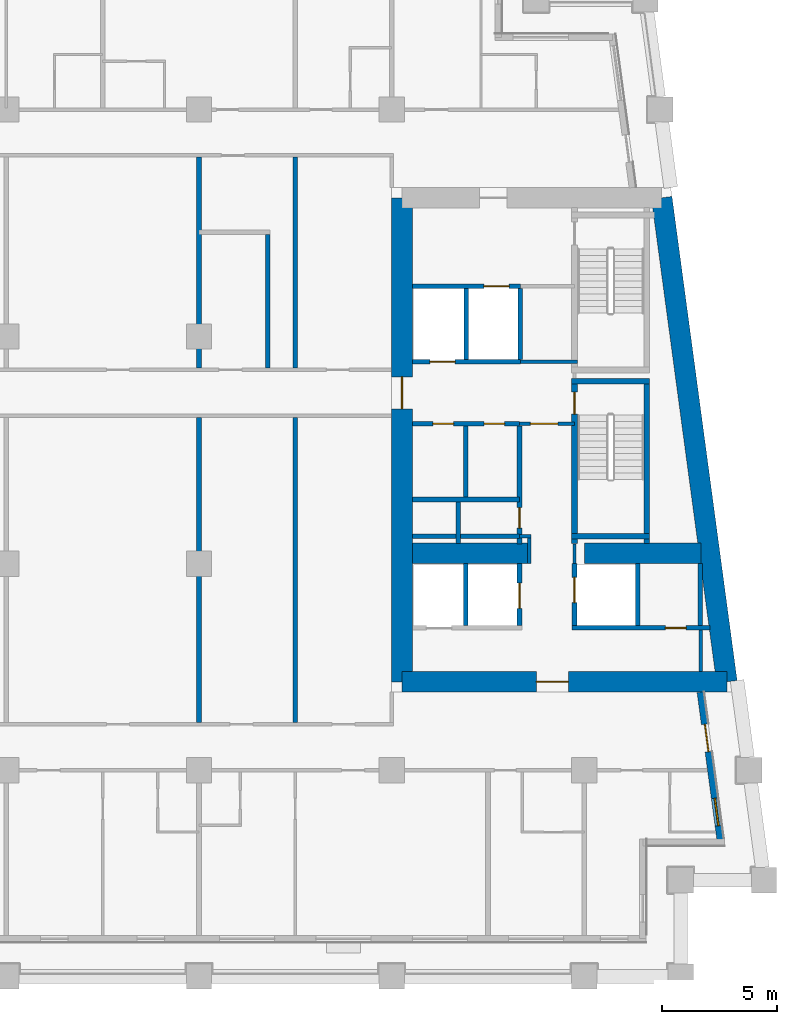
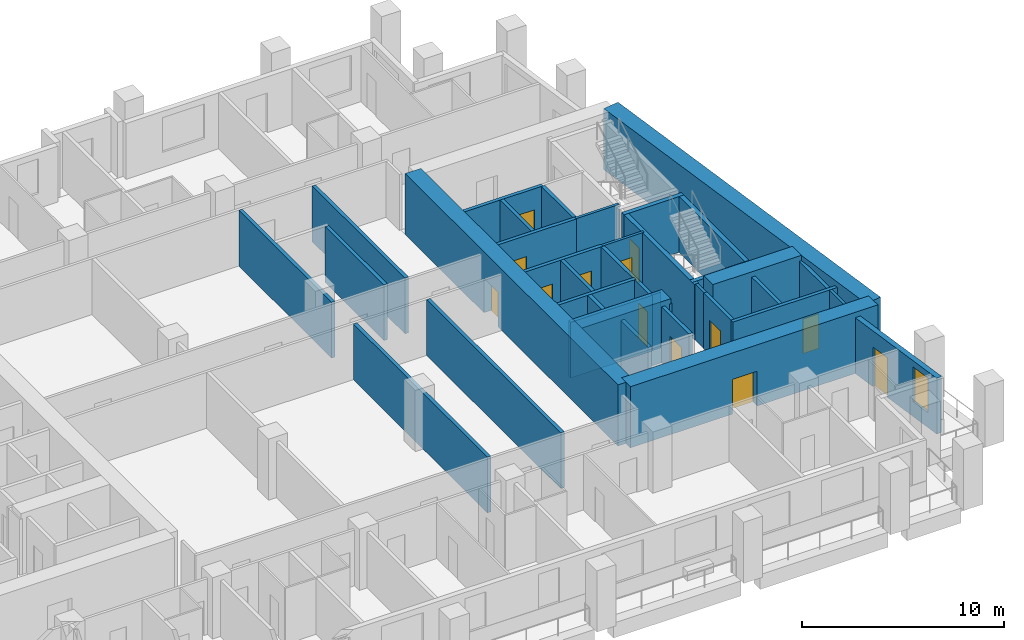
# One storey, part 5 of 13: 37 walls, 13 doors, 1 window, 14 openings.
"""IFC4 building model written with IfcOpenShell, lengths in metres."""

from ifc_helpers import new_model, si_unit, direction, frame, frame_2d, origin, place, context, subcontext, project, spatial, rectangle, extrude, material, layer, layer_set, type_object, element, fill, save


model = new_model("IFC4")

# Units and contexts
model_context = context("Model", 3, precision=1e-05, world=origin(), true_north=direction((0.0, 1.0)))
body_context = subcontext(model_context, "Body", "Model", "MODEL_VIEW")
ifc_project = project(units=[si_unit("LENGTHUNIT", "METRE"), si_unit("AREAUNIT", "SQUARE_METRE"), si_unit("VOLUMEUNIT", "CUBIC_METRE"), si_unit("PLANEANGLEUNIT", "RADIAN"), si_unit("MASSUNIT", "GRAM", prefix="KILO")], contexts=[model_context])

# Site, building, storey
site_placement = place(None, origin())
site = spatial("IfcSite", under=ifc_project, at=site_placement, CompositionType="ELEMENT")
building_placement = place(site_placement, origin())
building = spatial("IfcBuilding", under=site, at=building_placement, Name="Candeia Pilgrim Tower and Theatre", CompositionType="ELEMENT")
storey_placement = place(building_placement, frame((0.0, 0.0, 151.5)))
storey = spatial("IfcBuildingStorey", under=building, at=storey_placement, Name="L35", CompositionType="ELEMENT", Elevation=151.5)

# Wall
ifc_material_1 = material(Name="Concrete C60/75", Category="concrete")
ifc_layer_1 = layer(ifc_material_1, 0.89990234375)
ifc_layer_set_1 = layer_set([ifc_layer_1], Name="Core wall 900 C60/75")
wall_type_1 = type_object("IfcWallType", Name="Core wall 900 C60/75", PredefinedType="SHEAR", material=ifc_layer_set_1)
wall_1_placement = place(storey_placement, frame((137.775634765625, 131.949951171875, 0.0), z_axis=(0.0, 0.0, 1.0), x_axis=(0.133421759112, -0.991059349482, 0.0)))
element("IfcWall", 1, at=wall_1_placement, inside=storey, type_object=wall_type_1, Name="Core wall E2", PredefinedType="SHEAR", context=body_context, shape_type="SweptSolid", body=[
    extrude(rectangle(XDim=21.290283203125, YDim=0.89990234375, at=frame_2d((10.64501953125, 0.0))), origin(), (0.0, 0.0, 1.0), 3.699951171875),
])

# Wall, opening, door
wall_2_placement = place(storey_placement, frame((140.6162109375, 110.85009765625, 0.0), z_axis=(0.0, 0.0, 1.0), x_axis=(-1.0, 0.0, 0.0)))
wall_2 = element("IfcWall", 2, at=wall_2_placement, inside=storey, type_object=wall_type_1, Name="Core wall E3", PredefinedType="SHEAR", context=body_context, shape_type="SweptSolid", body=[
    extrude(rectangle(XDim=14.166259765625, YDim=0.89990234375, at=frame_2d((7.0830078125, 0.0))), origin(), (0.0, 0.0, 1.0), 3.699951171875),
])
opening_1_placement = place(wall_2_placement, frame((6.911376953125, 0.0, 0.0)))
opening_1 = element("IfcOpeningElement", 3, at=opening_1_placement, cuts=wall_2, Name="Opening L35-D060", PredefinedType="OPENING", context=body_context, shape_type="SweptSolid", body=[
    extrude(rectangle(XDim=1.39990234375, YDim=2.10009765625, at=frame_2d((0.699951171875, 1.050048828125))), frame((0.0, 0.4599609375, 0.0), z_axis=(0.0, -1.0, 0.0), x_axis=(1.0, 0.0, 0.0)), (0.0, 0.0, 1.0), 0.919921875),
])
ifc_material_2 = material(Name="Steel fire door set", Category="steel")
door_type_1 = type_object("IfcDoorType", Name="D-1400-FD60", OperationType="NOTDEFINED", PredefinedType="DOOR", material=ifc_material_2)
door_1_placement = place(opening_1_placement, origin())
door_1 = element("IfcDoor", 4, at=door_1_placement, inside=storey, type_object=door_type_1, Name="Door L35-D060", OperationType="SINGLE_SWING_LEFT", OverallHeight=2.10009765625, OverallWidth=1.39990234375, PredefinedType="DOOR", context=body_context, shape_type="SweptSolid", body=[
    extrude(rectangle(XDim=1.39990234375, YDim=2.10009765625, at=frame_2d((0.699951171875, 1.050048828125))), frame((0.0, 0.02490234375, 0.0), z_axis=(0.0, -1.0, 0.0), x_axis=(1.0, 0.0, 0.0)), (0.0, 0.0, 1.0), 0.050048828125),
])
fill(opening_1, door_1)

wall_3_placement = place(storey_placement, frame((126.449951171875, 110.85009765625, 0.0), z_axis=(0.0, 0.0, 1.0), x_axis=(0.0, 1.0, 0.0)))
wall_3 = element("IfcWall", 5, at=wall_3_placement, inside=storey, type_object=wall_type_1, Name="Core wall E4", PredefinedType="SHEAR", context=body_context, shape_type="SweptSolid", body=[
    extrude(rectangle(XDim=21.099853515625, YDim=0.89990234375, at=frame_2d((10.5498046875, 0.0))), origin(), (0.0, 0.0, 1.0), 3.699951171875),
])
opening_2_placement = place(wall_3_placement, frame((11.89990234375, 0.0, 0.0)))
opening_2 = element("IfcOpeningElement", 6, at=opening_2_placement, cuts=wall_3, Name="Opening L35-D062", PredefinedType="OPENING", context=body_context, shape_type="SweptSolid", body=[
    extrude(rectangle(XDim=1.39990234375, YDim=2.10009765625, at=frame_2d((0.699951171875, 1.050048828125))), frame((0.0, 0.4599609375, 0.0), z_axis=(0.0, -1.0, 0.0), x_axis=(1.0, 0.0, 0.0)), (0.0, 0.0, 1.0), 0.919921875),
])
door_2_placement = place(opening_2_placement, origin())
door_2 = element("IfcDoor", 7, at=door_2_placement, inside=storey, type_object=door_type_1, Name="Door L35-D062", OperationType="SINGLE_SWING_LEFT", OverallHeight=2.10009765625, OverallWidth=1.39990234375, PredefinedType="DOOR", context=body_context, shape_type="SweptSolid", body=[
    extrude(rectangle(XDim=1.39990234375, YDim=2.10009765625, at=frame_2d((0.699951171875, 1.050048828125))), frame((0.0, 0.02490234375, 0.0), z_axis=(0.0, -1.0, 0.0), x_axis=(1.0, 0.0, 0.0)), (0.0, 0.0, 1.0), 0.050048828125),
])
fill(opening_2, door_2)

# Walls
wall_4_placement = place(storey_placement, frame((126.89990234375, 116.449951171875, 0.0), z_axis=(0.0, 0.0, 1.0), x_axis=(1.0, 0.0, 0.0)))
element("IfcWall", 8, at=wall_4_placement, inside=storey, type_object=wall_type_1, Name="Core wall E5", PredefinedType="SHEAR", context=body_context, shape_type="SweptSolid", body=[
    extrude(rectangle(XDim=5.10009765625, YDim=0.89990234375, at=frame_2d((2.550048828125, 0.0))), origin(), (0.0, 0.0, 1.0), 3.699951171875),
])
wall_5_placement = place(storey_placement, frame((134.39990234375, 116.449951171875, 0.0), z_axis=(0.0, 0.0, 1.0), x_axis=(1.0, 0.0, 0.0)))
element("IfcWall", 9, at=wall_5_placement, inside=storey, type_object=wall_type_1, Name="Core wall E6", PredefinedType="SHEAR", context=body_context, shape_type="SweptSolid", body=[
    extrude(rectangle(XDim=5.076904296875, YDim=0.89990234375, at=frame_2d((2.53857421875, 0.0))), origin(), (0.0, 0.0, 1.0), 3.699951171875),
])

# Wall, openings, door, window
ifc_material_3 = material(Name="Ceramic block masonry", Category="masonry")
ifc_layer_2 = layer(ifc_material_3, 0.300048828125)
ifc_layer_set_2 = layer_set([ifc_layer_2], Name="EW1 glazing-line wall 300")
wall_type_2 = type_object("IfcWallType", Name="EW1 glazing-line wall 300", PredefinedType="SOLIDWALL", material=ifc_layer_set_2)
wall_6_placement = place(storey_placement, frame((140.34765625, 103.85009765625, 0.0), z_axis=(0.0, 0.0, 1.0), x_axis=(-0.133431549479, 0.991058031401, 0.0)))
wall_6 = element("IfcWall", 10, at=wall_6_placement, inside=storey, type_object=wall_type_2, Name="External wall L35-3.0", PredefinedType="SOLIDWALL", context=body_context, shape_type="SweptSolid", body=[
    extrude(rectangle(XDim=6.60888671875, YDim=0.300048828125, at=frame_2d((3.304443359375, 0.0))), origin(), (0.0, 0.0, 1.0), 3.3798828125),
])
opening_3_placement = place(wall_6_placement, frame((0.736572265625, 0.0, 0.89990234375)))
opening_3 = element("IfcOpeningElement", 11, at=opening_3_placement, cuts=wall_6, Name="Opening W-B", PredefinedType="OPENING", context=body_context, shape_type="SweptSolid", body=[
    extrude(rectangle(XDim=1.199951171875, YDim=2.10009765625, at=frame_2d((0.60009765625, 1.050048828125))), frame((0.0, 0.16015625, 0.0), z_axis=(0.0, -1.0, 0.0), x_axis=(1.0, 0.0, 0.0)), (0.0, 0.0, 1.0), 0.320068359375),
])
opening_4_placement = place(wall_6_placement, frame((3.990966796875, 0.0, 0.0)))
opening_4 = element("IfcOpeningElement", 12, at=opening_4_placement, cuts=wall_6, Name="Opening L35-ED336", PredefinedType="OPENING", context=body_context, shape_type="SweptSolid", body=[
    extrude(rectangle(XDim=1.199951171875, YDim=2.39990234375, at=frame_2d((0.60009765625, 1.199951171875))), frame((0.0, 0.16015625, 0.0), z_axis=(0.0, -1.0, 0.0), x_axis=(1.0, 0.0, 0.0)), (0.0, 0.0, 1.0), 0.320068359375),
])
ifc_material_4 = material(Name="Aluminium framed glazed door", Category="aluminium")
door_type_2 = type_object("IfcDoorType", Name="Loggia door 1200x2400", OperationType="DOUBLE_DOOR_SINGLE_SWING", PredefinedType="DOOR", material=ifc_material_4)
door_3_placement = place(opening_4_placement, origin())
door_3 = element("IfcDoor", 13, at=door_3_placement, inside=storey, type_object=door_type_2, Name="Loggia door L35-ED336", OperationType="DOUBLE_DOOR_SINGLE_SWING", OverallHeight=2.39990234375, OverallWidth=1.199951171875, PredefinedType="DOOR", context=body_context, shape_type="SweptSolid", body=[
    extrude(rectangle(XDim=1.199951171875, YDim=2.39990234375, at=frame_2d((0.60009765625, 1.199951171875))), frame((0.0, 0.02490234375, 0.0), z_axis=(0.0, -1.0, 0.0), x_axis=(1.0, 0.0, 0.0)), (0.0, 0.0, 1.0), 0.050048828125),
])
fill(opening_4, door_3)
ifc_material_5 = material(Name="Aluminium framed double glazing", Category="aluminium")
window_type = type_object("IfcWindowType", Name="W-B window 1200x2100", PartitioningType="SINGLE_PANEL", PredefinedType="WINDOW", material=ifc_material_5)
window_placement = place(opening_3_placement, origin())
window = element("IfcWindow", 14, at=window_placement, inside=storey, type_object=window_type, Name="Window W-B L35", OverallHeight=2.10009765625, OverallWidth=1.199951171875, PartitioningType="SINGLE_PANEL", PredefinedType="WINDOW", context=body_context, shape_type="SweptSolid", body=[
    extrude(rectangle(XDim=1.199951171875, YDim=2.10009765625, at=frame_2d((0.60009765625, 1.050048828125))), frame((0.0, 0.030029296875, 0.0), z_axis=(0.0, -1.0, 0.0), x_axis=(1.0, 0.0, 0.0)), (0.0, 0.0, 1.0), 0.06005859375),
])
fill(opening_3, window)

# Wall
ifc_material_6 = material(Name="Gypsum board partition on steel studs", Category="steel")
ifc_layer_3 = layer(ifc_material_6, 0.14990234375)
ifc_layer_set_3 = layer_set([ifc_layer_3], Name="PW-150 lobby wall")
wall_type_3 = type_object("IfcWallType", Name="PW-150 lobby wall", PredefinedType="PARTITIONING", material=ifc_layer_set_3)
wall_7_placement = place(storey_placement, frame((131.572998046875, 117.199951171875, 0.0), z_axis=(0.0, 0.0, 1.0), x_axis=(1.0, 0.0, 0.0)))
element("IfcWall", 15, at=wall_7_placement, inside=storey, type_object=wall_type_3, Name="Lobby wall L35-017", PredefinedType="PARTITIONING", context=body_context, shape_type="SweptSolid", body=[
    extrude(rectangle(XDim=0.501953125, YDim=0.14990234375, at=frame_2d((0.2509765625, 0.0))), origin(), (0.0, 0.0, 1.0), 3.3798828125),
])

# Wall, opening, door
wall_8_placement = place(storey_placement, frame((131.572998046875, 122.10009765625, 0.0), z_axis=(0.0, 0.0, 1.0), x_axis=(1.0, 0.0, 0.0)))
wall_8 = element("IfcWall", 16, at=wall_8_placement, inside=storey, type_object=wall_type_3, Name="Lobby wall L35-025", PredefinedType="PARTITIONING", context=body_context, shape_type="SweptSolid", body=[
    extrude(rectangle(XDim=2.39990234375, YDim=0.14990234375, at=frame_2d((1.199951171875, 0.0))), origin(), (0.0, 0.0, 1.0), 3.3798828125),
])
opening_5_placement = place(wall_8_placement, frame((0.47509765625, 0.0, 0.0)))
opening_5 = element("IfcOpeningElement", 17, at=opening_5_placement, cuts=wall_8, Name="Opening L35-D009", PredefinedType="OPENING", context=body_context, shape_type="SweptSolid", body=[
    extrude(rectangle(XDim=1.199951171875, YDim=2.10009765625, at=frame_2d((0.60009765625, 1.050048828125))), frame((0.0, 0.0849609375, 0.0), z_axis=(0.0, -1.0, 0.0), x_axis=(1.0, 0.0, 0.0)), (0.0, 0.0, 1.0), 0.169921875),
])
door_type_3 = type_object("IfcDoorType", Name="D-1200-FD60", OperationType="NOTDEFINED", PredefinedType="DOOR", material=ifc_material_2)
door_4_placement = place(opening_5_placement, origin())
door_4 = element("IfcDoor", 18, at=door_4_placement, inside=storey, type_object=door_type_3, Name="Door L35-D009", OperationType="SINGLE_SWING_LEFT", OverallHeight=2.10009765625, OverallWidth=1.199951171875, PredefinedType="DOOR", context=body_context, shape_type="SweptSolid", body=[
    extrude(rectangle(XDim=1.199951171875, YDim=2.10009765625, at=frame_2d((0.60009765625, 1.050048828125))), frame((0.0, 0.02490234375, 0.0), z_axis=(0.0, -1.0, 0.0), x_axis=(1.0, 0.0, 0.0)), (0.0, 0.0, 1.0), 0.050048828125),
])
fill(opening_5, door_4)

# Walls
wall_9_placement = place(storey_placement, frame((131.615234375, 124.800048828125, 0.0), z_axis=(0.0, 0.0, 1.0), x_axis=(1.0, 0.0, 0.0)))
element("IfcWall", 19, at=wall_9_placement, inside=storey, type_object=wall_type_3, Name="Lobby wall L35-034", PredefinedType="PARTITIONING", context=body_context, shape_type="SweptSolid", body=[
    extrude(rectangle(XDim=2.482666015625, YDim=0.14990234375, at=frame_2d((1.2412109375, 0.0))), origin(), (0.0, 0.0, 1.0), 3.3798828125),
])
wall_10_placement = place(storey_placement, frame((132.0, 116.0, 0.0), z_axis=(0.0, 0.0, 1.0), x_axis=(0.0, 1.0, 0.0)))
element("IfcWall", 20, at=wall_10_placement, inside=storey, type_object=wall_type_3, Name="Lobby wall L35-110", PredefinedType="PARTITIONING", context=body_context, shape_type="SweptSolid", body=[
    extrude(rectangle(XDim=1.125, YDim=0.14990234375, at=frame_2d((0.5625, 0.0))), origin(), (0.0, 0.0, 1.0), 3.3798828125),
])
wall_11_placement = place(storey_placement, frame((133.972900390625, 116.0, 0.0), z_axis=(0.0, 0.0, 1.0), x_axis=(0.0, 1.0, 0.0)))
element("IfcWall", 21, at=wall_11_placement, inside=storey, type_object=wall_type_3, Name="Lobby wall L35-113", PredefinedType="PARTITIONING", context=body_context, shape_type="SweptSolid", body=[
    extrude(rectangle(XDim=0.8701171875, YDim=0.14990234375, at=frame_2d((0.43505859375, 0.0))), origin(), (0.0, 0.0, 1.0), 3.3798828125),
])
wall_12_placement = place(storey_placement, frame((139.471923828125, 111.300048828125, 0.0), z_axis=(0.0, 0.0, 1.0), x_axis=(0.0, 1.0, 0.0)))
element("IfcWall", 22, at=wall_12_placement, inside=storey, type_object=wall_type_3, Name="Lobby wall L35-123", PredefinedType="PARTITIONING", context=body_context, shape_type="SweptSolid", body=[
    extrude(rectangle(XDim=1.800048828125, YDim=0.14990234375, at=frame_2d((0.89990234375, 0.0))), origin(), (0.0, 0.0, 1.0), 3.3798828125),
])
ifc_layer_4 = layer(ifc_material_6, 0.199951171875)
ifc_layer_set_4 = layer_set([ifc_layer_4], Name="PW-200 party wall")
wall_type_4 = type_object("IfcWallType", Name="PW-200 party wall", PredefinedType="PARTITIONING", material=ifc_layer_set_4)
wall_13_placement = place(storey_placement, frame((117.60009765625, 109.074951171875, 0.0), z_axis=(0.0, 0.0, 1.0), x_axis=(0.0, 1.0, 0.0)))
element("IfcWall", 23, at=wall_13_placement, inside=storey, type_object=wall_type_4, Name="Party wall L35-088", PredefinedType="PARTITIONING", context=body_context, shape_type="SweptSolid", body=[
    extrude(rectangle(XDim=13.300048828125, YDim=0.199951171875, at=frame_2d((6.64990234375, 0.0))), origin(), (0.0, 0.0, 1.0), 3.3798828125),
])
wall_14_placement = place(storey_placement, frame((117.60009765625, 124.52490234375, 0.0), z_axis=(0.0, 0.0, 1.0), x_axis=(0.0, 1.0, 0.0)))
element("IfcWall", 24, at=wall_14_placement, inside=storey, type_object=wall_type_4, Name="Party wall L35-089", PredefinedType="PARTITIONING", context=body_context, shape_type="SweptSolid", body=[
    extrude(rectangle(XDim=9.2001953125, YDim=0.199951171875, at=frame_2d((4.60009765625, 0.0))), origin(), (0.0, 0.0, 1.0), 3.3798828125),
])
wall_15_placement = place(storey_placement, frame((120.60009765625, 124.52490234375, 0.0), z_axis=(0.0, 0.0, 1.0), x_axis=(0.0, 1.0, 0.0)))
element("IfcWall", 25, at=wall_15_placement, inside=storey, type_object=wall_type_4, Name="Party wall L35-091", PredefinedType="PARTITIONING", context=body_context, shape_type="SweptSolid", body=[
    extrude(rectangle(XDim=5.8251953125, YDim=0.199951171875, at=frame_2d((2.91259765625, 0.0))), origin(), (0.0, 0.0, 1.0), 3.3798828125),
])
wall_16_placement = place(storey_placement, frame((121.800048828125, 109.074951171875, 0.0), z_axis=(0.0, 0.0, 1.0), x_axis=(0.0, 1.0, 0.0)))
element("IfcWall", 26, at=wall_16_placement, inside=storey, type_object=wall_type_4, Name="Party wall L35-093", PredefinedType="PARTITIONING", context=body_context, shape_type="SweptSolid", body=[
    extrude(rectangle(XDim=13.300048828125, YDim=0.199951171875, at=frame_2d((6.64990234375, 0.0))), origin(), (0.0, 0.0, 1.0), 3.3798828125),
])
wall_17_placement = place(storey_placement, frame((121.800048828125, 124.52490234375, 0.0), z_axis=(0.0, 0.0, 1.0), x_axis=(0.0, 1.0, 0.0)))
element("IfcWall", 27, at=wall_17_placement, inside=storey, type_object=wall_type_4, Name="Party wall L35-094", PredefinedType="PARTITIONING", context=body_context, shape_type="SweptSolid", body=[
    extrude(rectangle(XDim=9.2001953125, YDim=0.199951171875, at=frame_2d((4.60009765625, 0.0))), origin(), (0.0, 0.0, 1.0), 3.3798828125),
])

# Wall, opening, door
ifc_material_7 = material(Name="Concrete C40/50", Category="concrete")
ifc_layer_5 = layer(ifc_material_7, 0.199951171875)
ifc_layer_set_5 = layer_set([ifc_layer_5], Name="SW-200 shaft wall")
wall_type_5 = type_object("IfcWallType", Name="SW-200 shaft wall", PredefinedType="PARTITIONING", material=ifc_layer_set_5)
wall_18_placement = place(storey_placement, frame((133.873046875, 113.199951171875, 0.0), z_axis=(0.0, 0.0, 1.0), x_axis=(1.0, 0.0, 0.0)))
wall_18 = element("IfcWall", 28, at=wall_18_placement, inside=storey, type_object=wall_type_5, Name="Shaft wall L35-013", PredefinedType="PARTITIONING", context=body_context, shape_type="SweptSolid", body=[
    extrude(rectangle(XDim=6.002685546875, YDim=0.199951171875, at=frame_2d((3.00146484375, 0.0))), origin(), (0.0, 0.0, 1.0), 3.3798828125),
])
opening_6_placement = place(wall_18_placement, frame((4.06201171875, 0.0, 0.0)))
opening_6 = element("IfcOpeningElement", 29, at=opening_6_placement, cuts=wall_18, Name="Opening L35-D015", PredefinedType="OPENING", context=body_context, shape_type="SweptSolid", body=[
    extrude(rectangle(XDim=0.89990234375, YDim=2.10009765625, at=frame_2d((0.449951171875, 1.050048828125))), frame((0.0, 0.10986328125, 0.0), z_axis=(0.0, -1.0, 0.0), x_axis=(1.0, 0.0, 0.0)), (0.0, 0.0, 1.0), 0.219970703125),
])
door_type_4 = type_object("IfcDoorType", Name="D-900-FD60", OperationType="NOTDEFINED", PredefinedType="DOOR", material=ifc_material_2)
door_5_placement = place(opening_6_placement, origin())
door_5 = element("IfcDoor", 30, at=door_5_placement, inside=storey, type_object=door_type_4, Name="Door L35-D015", OperationType="SINGLE_SWING_RIGHT", OverallHeight=2.10009765625, OverallWidth=0.89990234375, PredefinedType="DOOR", context=body_context, shape_type="SweptSolid", body=[
    extrude(rectangle(XDim=0.89990234375, YDim=2.10009765625, at=frame_2d((0.449951171875, 1.050048828125))), frame((0.0, 0.02490234375, 0.0), z_axis=(0.0, -1.0, 0.0), x_axis=(1.0, 0.0, 0.0)), (0.0, 0.0, 1.0), 0.050048828125),
])
fill(opening_6, door_5)

# Walls
for number, where, z_axis, x_axis, name in (
    (31, (126.89990234375, 117.199951171875, 0.0), (0.0, 0.0, 1.0), (1.0, 0.0, 0.0), "Shaft wall L35-015"),
    (32, (126.89990234375, 118.800048828125, 0.0), (0.0, 0.0, 1.0), (1.0, 0.0, 0.0), "Shaft wall L35-021"),
):
    element("IfcWall", number, at=place(storey_placement, frame(where, z_axis=z_axis, x_axis=x_axis)), inside=storey, type_object=wall_type_5, Name=name, PredefinedType="PARTITIONING", context=body_context, shape_type="SweptSolid", body=[
        extrude(rectangle(XDim=4.673095703125, YDim=0.199951171875, at=frame_2d((2.33642578125, 0.0))), origin(), (0.0, 0.0, 1.0), 3.3798828125),
    ])

# Wall, openings, doors
wall_19_placement = place(storey_placement, frame((126.89990234375, 122.10009765625, 0.0), z_axis=(0.0, 0.0, 1.0), x_axis=(1.0, 0.0, 0.0)))
wall_19 = element("IfcWall", 33, at=wall_19_placement, inside=storey, type_object=wall_type_5, Name="Shaft wall L35-023", PredefinedType="PARTITIONING", context=body_context, shape_type="SweptSolid", body=[
    extrude(rectangle(XDim=4.673095703125, YDim=0.199951171875, at=frame_2d((2.33642578125, 0.0))), origin(), (0.0, 0.0, 1.0), 3.3798828125),
])
opening_7_placement = place(wall_19_placement, frame((3.1279296875, 0.0, 0.0)))
opening_7 = element("IfcOpeningElement", 34, at=opening_7_placement, cuts=wall_19, Name="Opening L35-D010", PredefinedType="OPENING", context=body_context, shape_type="SweptSolid", body=[
    extrude(rectangle(XDim=0.89990234375, YDim=2.10009765625, at=frame_2d((0.449951171875, 1.050048828125))), frame((0.0, 0.10986328125, 0.0), z_axis=(0.0, -1.0, 0.0), x_axis=(1.0, 0.0, 0.0)), (0.0, 0.0, 1.0), 0.219970703125),
])
opening_8_placement = place(wall_19_placement, frame((0.902099609375, 0.0, 0.0)))
opening_8 = element("IfcOpeningElement", 35, at=opening_8_placement, cuts=wall_19, Name="Opening L35-D011", PredefinedType="OPENING", context=body_context, shape_type="SweptSolid", body=[
    extrude(rectangle(XDim=0.89990234375, YDim=2.10009765625, at=frame_2d((0.449951171875, 1.050048828125))), frame((0.0, 0.10986328125, 0.0), z_axis=(0.0, -1.0, 0.0), x_axis=(1.0, 0.0, 0.0)), (0.0, 0.0, 1.0), 0.219970703125),
])
door_6_placement = place(opening_7_placement, origin())
door_6 = element("IfcDoor", 36, at=door_6_placement, inside=storey, type_object=door_type_4, Name="Door L35-D010", OperationType="SINGLE_SWING_RIGHT", OverallHeight=2.10009765625, OverallWidth=0.89990234375, PredefinedType="DOOR", context=body_context, shape_type="SweptSolid", body=[
    extrude(rectangle(XDim=0.89990234375, YDim=2.10009765625, at=frame_2d((0.449951171875, 1.050048828125))), frame((0.0, 0.02490234375, 0.0), z_axis=(0.0, -1.0, 0.0), x_axis=(1.0, 0.0, 0.0)), (0.0, 0.0, 1.0), 0.050048828125),
])
fill(opening_7, door_6)
door_7_placement = place(opening_8_placement, origin())
door_7 = element("IfcDoor", 37, at=door_7_placement, inside=storey, type_object=door_type_4, Name="Door L35-D011", OperationType="SINGLE_SWING_LEFT", OverallHeight=2.10009765625, OverallWidth=0.89990234375, PredefinedType="DOOR", context=body_context, shape_type="SweptSolid", body=[
    extrude(rectangle(XDim=0.89990234375, YDim=2.10009765625, at=frame_2d((0.449951171875, 1.050048828125))), frame((0.0, 0.02490234375, 0.0), z_axis=(0.0, -1.0, 0.0), x_axis=(1.0, 0.0, 0.0)), (0.0, 0.0, 1.0), 0.050048828125),
])
fill(opening_8, door_7)

# Wall, opening, door
wall_20_placement = place(storey_placement, frame((126.89990234375, 124.800048828125, 0.0), z_axis=(0.0, 0.0, 1.0), x_axis=(1.0, 0.0, 0.0)))
wall_20 = element("IfcWall", 38, at=wall_20_placement, inside=storey, type_object=wall_type_5, Name="Shaft wall L35-033", PredefinedType="PARTITIONING", context=body_context, shape_type="SweptSolid", body=[
    extrude(rectangle(XDim=4.71533203125, YDim=0.199951171875, at=frame_2d((2.357666015625, 0.0))), origin(), (0.0, 0.0, 1.0), 3.3798828125),
])
opening_9_placement = place(wall_20_placement, frame((0.76806640625, 0.0, 0.0)))
opening_9 = element("IfcOpeningElement", 39, at=opening_9_placement, cuts=wall_20, Name="Opening L35-LD05", PredefinedType="OPENING", context=body_context, shape_type="SweptSolid", body=[
    extrude(rectangle(XDim=1.10009765625, YDim=2.10009765625, at=frame_2d((0.550048828125, 1.050048828125))), frame((0.0, 0.10986328125, 0.0), z_axis=(0.0, -1.0, 0.0), x_axis=(1.0, 0.0, 0.0)), (0.0, 0.0, 1.0), 0.219970703125),
])
ifc_material_8 = material(Name="Glazed aluminium landing door", Category="aluminium")
door_type_5 = type_object("IfcDoorType", Name="LD-1100-EI120", OperationType="SLIDING_TO_LEFT", PredefinedType="DOOR", material=ifc_material_8)
door_8_placement = place(opening_9_placement, origin())
door_8 = element("IfcDoor", 40, at=door_8_placement, inside=storey, type_object=door_type_5, Name="Landing door 05 L35", OperationType="SLIDING_TO_LEFT", OverallHeight=2.10009765625, OverallWidth=1.10009765625, PredefinedType="DOOR", context=body_context, shape_type="SweptSolid", body=[
    extrude(rectangle(XDim=1.10009765625, YDim=2.10009765625, at=frame_2d((0.550048828125, 1.050048828125))), frame((0.0, 0.02490234375, 0.0), z_axis=(0.0, -1.0, 0.0), x_axis=(1.0, 0.0, 0.0)), (0.0, 0.0, 1.0), 0.050048828125),
])
fill(opening_9, door_8)

wall_21_placement = place(storey_placement, frame((126.89990234375, 128.10009765625, 0.0), z_axis=(0.0, 0.0, 1.0), x_axis=(1.0, 0.0, 0.0)))
wall_21 = element("IfcWall", 41, at=wall_21_placement, inside=storey, type_object=wall_type_5, Name="Shaft wall L35-036", PredefinedType="PARTITIONING", context=body_context, shape_type="SweptSolid", body=[
    extrude(rectangle(XDim=4.71533203125, YDim=0.199951171875, at=frame_2d((2.357666015625, 0.0))), origin(), (0.0, 0.0, 1.0), 3.3798828125),
])
opening_10_placement = place(wall_21_placement, frame((3.1259765625, 0.0, 0.0)))
opening_10 = element("IfcOpeningElement", 42, at=opening_10_placement, cuts=wall_21, Name="Opening L35-LD04", PredefinedType="OPENING", context=body_context, shape_type="SweptSolid", body=[
    extrude(rectangle(XDim=1.10009765625, YDim=2.10009765625, at=frame_2d((0.550048828125, 1.050048828125))), frame((0.0, 0.10986328125, 0.0), z_axis=(0.0, -1.0, 0.0), x_axis=(1.0, 0.0, 0.0)), (0.0, 0.0, 1.0), 0.219970703125),
])
door_9_placement = place(opening_10_placement, origin())
door_9 = element("IfcDoor", 43, at=door_9_placement, inside=storey, type_object=door_type_5, Name="Landing door 04 L35", OperationType="SLIDING_TO_LEFT", OverallHeight=2.10009765625, OverallWidth=1.10009765625, PredefinedType="DOOR", context=body_context, shape_type="SweptSolid", body=[
    extrude(rectangle(XDim=1.10009765625, YDim=2.10009765625, at=frame_2d((0.550048828125, 1.050048828125))), frame((0.0, 0.02490234375, 0.0), z_axis=(0.0, -1.0, 0.0), x_axis=(1.0, 0.0, 0.0)), (0.0, 0.0, 1.0), 0.050048828125),
])
fill(opening_10, door_9)

# Walls
wall_22_placement = place(storey_placement, frame((128.89990234375, 116.8701171875, 0.0), z_axis=(0.0, 0.0, 1.0), x_axis=(0.0, 1.0, 0.0)))
element("IfcWall", 44, at=wall_22_placement, inside=storey, type_object=wall_type_5, Name="Shaft wall L35-100", PredefinedType="PARTITIONING", context=body_context, shape_type="SweptSolid", body=[
    extrude(rectangle(XDim=1.829833984375, YDim=0.199951171875, at=frame_2d((0.9150390625, 0.0))), origin(), (0.0, 0.0, 1.0), 3.3798828125),
])
wall_23_placement = place(storey_placement, frame((129.236572265625, 113.300048828125, 0.0), z_axis=(0.0, 0.0, 1.0), x_axis=(0.0, 1.0, 0.0)))
element("IfcWall", 45, at=wall_23_placement, inside=storey, type_object=wall_type_5, Name="Shaft wall L35-101", PredefinedType="PARTITIONING", context=body_context, shape_type="SweptSolid", body=[
    extrude(rectangle(XDim=2.699951171875, YDim=0.199951171875, at=frame_2d((1.35009765625, 0.0))), origin(), (0.0, 0.0, 1.0), 3.3798828125),
])
for number, where, z_axis, x_axis, name in (
    (46, (129.236572265625, 118.89990234375, 0.0), (0.0, 0.0, 1.0), (0.0, 1.0, 0.0), "Shaft wall L35-102"),
    (47, (129.2578125, 124.89990234375, 0.0), (0.0, 0.0, 1.0), (0.0, 1.0, 0.0), "Shaft wall L35-103"),
):
    element("IfcWall", number, at=place(storey_placement, frame(where, z_axis=z_axis, x_axis=x_axis)), inside=storey, type_object=wall_type_5, Name=name, PredefinedType="PARTITIONING", context=body_context, shape_type="SweptSolid", body=[
        extrude(rectangle(XDim=3.10009765625, YDim=0.199951171875, at=frame_2d((1.550048828125, 0.0))), origin(), (0.0, 0.0, 1.0), 3.3798828125),
    ])

# Wall, opening, door
wall_24_placement = place(storey_placement, frame((131.572998046875, 113.300048828125, 0.0), z_axis=(0.0, 0.0, 1.0), x_axis=(0.0, 1.0, 0.0)))
wall_24 = element("IfcWall", 48, at=wall_24_placement, inside=storey, type_object=wall_type_5, Name="Shaft wall L35-106", PredefinedType="PARTITIONING", context=body_context, shape_type="SweptSolid", body=[
    extrude(rectangle(XDim=2.699951171875, YDim=0.199951171875, at=frame_2d((1.35009765625, 0.0))), origin(), (0.0, 0.0, 1.0), 3.3798828125),
])
opening_11_placement = place(wall_24_placement, frame((0.75, 0.0, 0.0)))
opening_11 = element("IfcOpeningElement", 49, at=opening_11_placement, cuts=wall_24, Name="Opening L35-LD07", PredefinedType="OPENING", context=body_context, shape_type="SweptSolid", body=[
    extrude(rectangle(XDim=1.10009765625, YDim=2.10009765625, at=frame_2d((0.550048828125, 1.050048828125))), frame((0.0, 0.10986328125, 0.0), z_axis=(0.0, -1.0, 0.0), x_axis=(1.0, 0.0, 0.0)), (0.0, 0.0, 1.0), 0.219970703125),
])
door_10_placement = place(opening_11_placement, origin())
door_10 = element("IfcDoor", 50, at=door_10_placement, inside=storey, type_object=door_type_5, Name="Landing door 07 L35", OperationType="SLIDING_TO_LEFT", OverallHeight=2.10009765625, OverallWidth=1.10009765625, PredefinedType="DOOR", context=body_context, shape_type="SweptSolid", body=[
    extrude(rectangle(XDim=1.10009765625, YDim=2.10009765625, at=frame_2d((0.550048828125, 1.050048828125))), frame((0.0, 0.02490234375, 0.0), z_axis=(0.0, -1.0, 0.0), x_axis=(1.0, 0.0, 0.0)), (0.0, 0.0, 1.0), 0.050048828125),
])
fill(opening_11, door_10)

wall_25_placement = place(storey_placement, frame((131.572998046875, 116.8701171875, 0.0), z_axis=(0.0, 0.0, 1.0), x_axis=(0.0, 1.0, 0.0)))
wall_25 = element("IfcWall", 51, at=wall_25_placement, inside=storey, type_object=wall_type_5, Name="Shaft wall L35-107", PredefinedType="PARTITIONING", context=body_context, shape_type="SweptSolid", body=[
    extrude(rectangle(XDim=5.1298828125, YDim=0.199951171875, at=frame_2d((2.56494140625, 0.0))), origin(), (0.0, 0.0, 1.0), 3.3798828125),
])
opening_12_placement = place(wall_25_placement, frame((0.679931640625, 0.0, 0.0)))
opening_12 = element("IfcOpeningElement", 52, at=opening_12_placement, cuts=wall_25, Name="Opening L35-D014", PredefinedType="OPENING", context=body_context, shape_type="SweptSolid", body=[
    extrude(rectangle(XDim=0.89990234375, YDim=2.10009765625, at=frame_2d((0.449951171875, 1.050048828125))), frame((0.0, 0.10986328125, 0.0), z_axis=(0.0, -1.0, 0.0), x_axis=(1.0, 0.0, 0.0)), (0.0, 0.0, 1.0), 0.219970703125),
])
door_11_placement = place(opening_12_placement, origin())
door_11 = element("IfcDoor", 53, at=door_11_placement, inside=storey, type_object=door_type_4, Name="Door L35-D014", OperationType="SINGLE_SWING_RIGHT", OverallHeight=2.10009765625, OverallWidth=0.89990234375, PredefinedType="DOOR", context=body_context, shape_type="SweptSolid", body=[
    extrude(rectangle(XDim=0.89990234375, YDim=2.10009765625, at=frame_2d((0.449951171875, 1.050048828125))), frame((0.0, 0.02490234375, 0.0), z_axis=(0.0, -1.0, 0.0), x_axis=(1.0, 0.0, 0.0)), (0.0, 0.0, 1.0), 0.050048828125),
])
fill(opening_12, door_11)

# Wall
wall_26_placement = place(storey_placement, frame((131.615234375, 124.89990234375, 0.0), z_axis=(0.0, 0.0, 1.0), x_axis=(0.0, 1.0, 0.0)))
element("IfcWall", 54, at=wall_26_placement, inside=storey, type_object=wall_type_5, Name="Shaft wall L35-108", PredefinedType="PARTITIONING", context=body_context, shape_type="SweptSolid", body=[
    extrude(rectangle(XDim=3.10009765625, YDim=0.199951171875, at=frame_2d((1.550048828125, 0.0))), origin(), (0.0, 0.0, 1.0), 3.3798828125),
])

# Wall, opening, door
wall_27_placement = place(storey_placement, frame((133.972900390625, 113.300048828125, 0.0), z_axis=(0.0, 0.0, 1.0), x_axis=(0.0, 1.0, 0.0)))
wall_27 = element("IfcWall", 55, at=wall_27_placement, inside=storey, type_object=wall_type_5, Name="Shaft wall L35-112", PredefinedType="PARTITIONING", context=body_context, shape_type="SweptSolid", body=[
    extrude(rectangle(XDim=2.699951171875, YDim=0.199951171875, at=frame_2d((1.35009765625, 0.0))), origin(), (0.0, 0.0, 1.0), 3.3798828125),
])
opening_13_placement = place(wall_27_placement, frame((1.0, 0.0, 0.0)))
opening_13 = element("IfcOpeningElement", 56, at=opening_13_placement, cuts=wall_27, Name="Opening L35-LD06", PredefinedType="OPENING", context=body_context, shape_type="SweptSolid", body=[
    extrude(rectangle(XDim=1.10009765625, YDim=2.10009765625, at=frame_2d((0.550048828125, 1.050048828125))), frame((0.0, 0.10986328125, 0.0), z_axis=(0.0, -1.0, 0.0), x_axis=(1.0, 0.0, 0.0)), (0.0, 0.0, 1.0), 0.219970703125),
])
door_12_placement = place(opening_13_placement, origin())
door_12 = element("IfcDoor", 57, at=door_12_placement, inside=storey, type_object=door_type_5, Name="Landing door 06 L35", OperationType="SLIDING_TO_LEFT", OverallHeight=2.10009765625, OverallWidth=1.10009765625, PredefinedType="DOOR", context=body_context, shape_type="SweptSolid", body=[
    extrude(rectangle(XDim=1.10009765625, YDim=2.10009765625, at=frame_2d((0.550048828125, 1.050048828125))), frame((0.0, 0.02490234375, 0.0), z_axis=(0.0, -1.0, 0.0), x_axis=(1.0, 0.0, 0.0)), (0.0, 0.0, 1.0), 0.050048828125),
])
fill(opening_13, door_12)

# Walls
for number, where, z_axis, x_axis, name in (
    (58, (136.722412109375, 113.300048828125, 0.0), (0.0, 0.0, 1.0), (0.0, 1.0, 0.0), "Shaft wall L35-118"),
    (59, (139.44970703125, 113.300048828125, 0.0), (0.0, 0.0, 1.0), (0.0, 1.0, 0.0), "Shaft wall L35-122"),
):
    element("IfcWall", number, at=place(storey_placement, frame(where, z_axis=z_axis, x_axis=x_axis)), inside=storey, type_object=wall_type_5, Name=name, PredefinedType="PARTITIONING", context=body_context, shape_type="SweptSolid", body=[
        extrude(rectangle(XDim=2.699951171875, YDim=0.199951171875, at=frame_2d((1.35009765625, 0.0))), origin(), (0.0, 0.0, 1.0), 3.3798828125),
    ])
ifc_layer_6 = layer(ifc_material_7, 0.25)
ifc_layer_set_6 = layer_set([ifc_layer_6], Name="SW-250 stair wall")
wall_type_6 = type_object("IfcWallType", Name="SW-250 stair wall", PredefinedType="PARTITIONING", material=ifc_layer_set_6)
for number, where, z_axis, x_axis, name in (
    (60, (133.847900390625, 117.199951171875, 0.0), (0.0, 0.0, 1.0), (1.0, 0.0, 0.0), "Stair wall L35-019"),
    (61, (133.847900390625, 123.949951171875, 0.0), (0.0, 0.0, 1.0), (1.0, 0.0, 0.0), "Stair wall L35-028"),
):
    element("IfcWall", number, at=place(storey_placement, frame(where, z_axis=z_axis, x_axis=x_axis)), inside=storey, type_object=wall_type_6, Name=name, PredefinedType="PARTITIONING", context=body_context, shape_type="SweptSolid", body=[
        extrude(rectangle(XDim=3.400146484375, YDim=0.25, at=frame_2d((1.7001953125, 0.0))), origin(), (0.0, 0.0, 1.0), 3.3798828125),
    ])

# Wall, opening, door
wall_28_placement = place(storey_placement, frame((133.972900390625, 116.8701171875, 0.0), z_axis=(0.0, 0.0, 1.0), x_axis=(0.0, 1.0, 0.0)))
wall_28 = element("IfcWall", 62, at=wall_28_placement, inside=storey, type_object=wall_type_6, Name="Stair wall L35-115", PredefinedType="PARTITIONING", context=body_context, shape_type="SweptSolid", body=[
    extrude(rectangle(XDim=6.954833984375, YDim=0.25, at=frame_2d((3.4775390625, 0.0))), origin(), (0.0, 0.0, 1.0), 3.3798828125),
])
opening_14_placement = place(wall_28_placement, frame((5.655029296875, 0.0, 0.0)))
opening_14 = element("IfcOpeningElement", 63, at=opening_14_placement, cuts=wall_28, Name="Opening L35-D012", PredefinedType="OPENING", context=body_context, shape_type="SweptSolid", body=[
    extrude(rectangle(XDim=0.949951171875, YDim=2.10009765625, at=frame_2d((0.47509765625, 1.050048828125))), frame((0.0, 0.135009765625, 0.0), z_axis=(0.0, -1.0, 0.0), x_axis=(1.0, 0.0, 0.0)), (0.0, 0.0, 1.0), 0.27001953125),
])
door_type_6 = type_object("IfcDoorType", Name="D-950-FD60", OperationType="NOTDEFINED", PredefinedType="DOOR", material=ifc_material_2)
door_13_placement = place(opening_14_placement, origin())
door_13 = element("IfcDoor", 64, at=door_13_placement, inside=storey, type_object=door_type_6, Name="Door L35-D012", OperationType="SINGLE_SWING_RIGHT", OverallHeight=2.10009765625, OverallWidth=0.949951171875, PredefinedType="DOOR", context=body_context, shape_type="SweptSolid", body=[
    extrude(rectangle(XDim=0.949951171875, YDim=2.10009765625, at=frame_2d((0.47509765625, 1.050048828125))), frame((0.0, 0.02490234375, 0.0), z_axis=(0.0, -1.0, 0.0), x_axis=(1.0, 0.0, 0.0)), (0.0, 0.0, 1.0), 0.050048828125),
])
fill(opening_14, door_13)

# Wall
wall_29_placement = place(storey_placement, frame((137.123046875, 116.8701171875, 0.0), z_axis=(0.0, 0.0, 1.0), x_axis=(0.0, 1.0, 0.0)))
element("IfcWall", 65, at=wall_29_placement, inside=storey, type_object=wall_type_6, Name="Stair wall L35-119", PredefinedType="PARTITIONING", context=body_context, shape_type="SweptSolid", body=[
    extrude(rectangle(XDim=6.954833984375, YDim=0.25, at=frame_2d((3.4775390625, 0.0))), origin(), (0.0, 0.0, 1.0), 3.3798828125),
])

save(model, "model.ifc")
